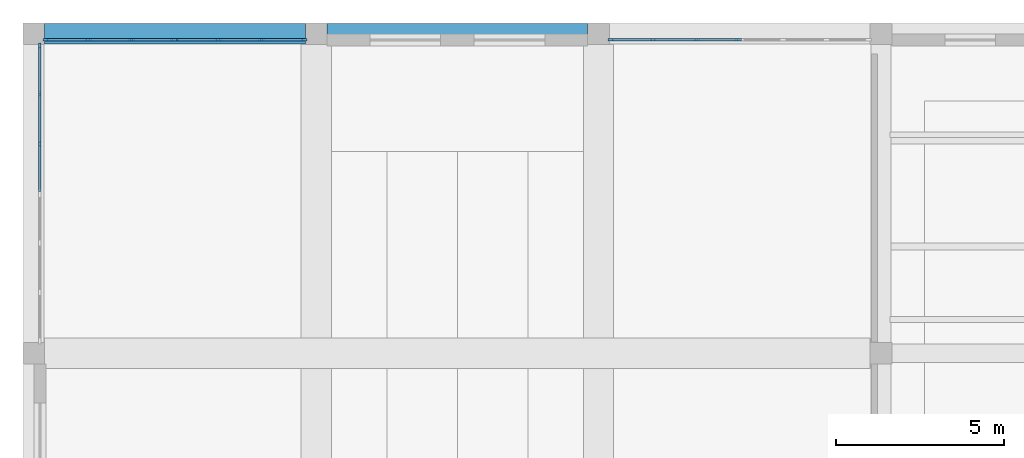
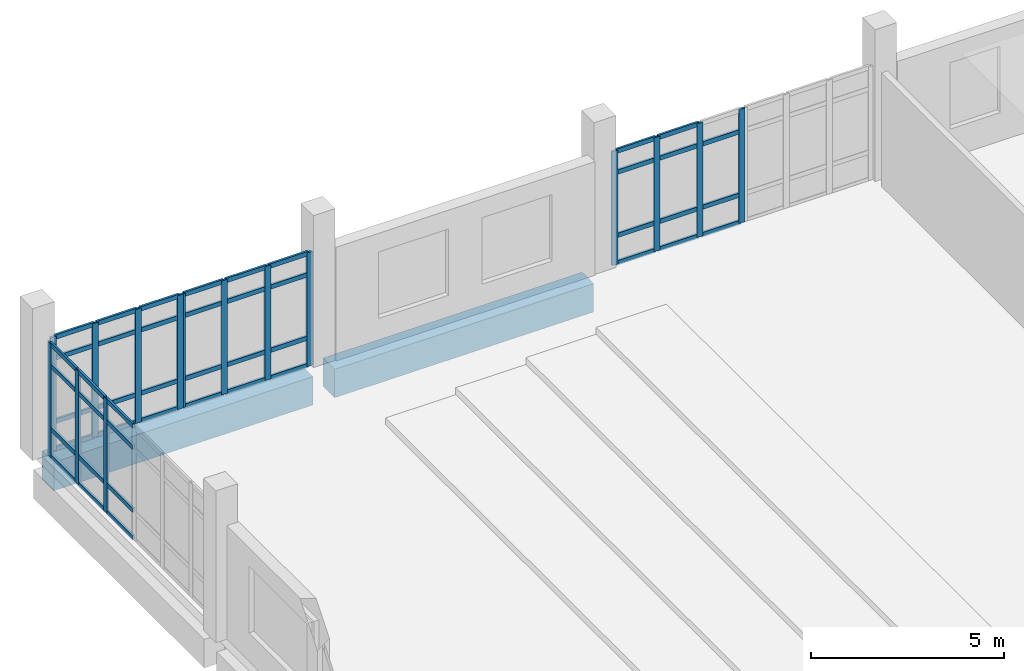
# One storey, part 30 of 90: 62 members, 2 beams, 4 elements without a shape of their own.
"""IFC4 building model written with IfcOpenShell, lengths in metres."""

from ifc_helpers import new_model, si_unit, direction, frame, origin, origin_2d, place, context, subcontext, project, spatial, rectangle, extrude, material, layer, layer_set, material_profile, profile_set, type_object, element, aggregate, save


model = new_model("IFC4")

# Units and contexts
model_context = context("Model", 3, precision=1e-05, world=origin(), true_north=direction((0.0, 1.0)))
body_context = subcontext(model_context, "Body", "Model", "MODEL_VIEW")
ifc_project = project(units=[si_unit("LENGTHUNIT", "METRE"), si_unit("AREAUNIT", "SQUARE_METRE"), si_unit("VOLUMEUNIT", "CUBIC_METRE"), si_unit("PLANEANGLEUNIT", "RADIAN"), si_unit("MASSUNIT", "GRAM", prefix="KILO")], contexts=[model_context])

# Site, building, storey
site_placement = place(None, origin())
site = spatial("IfcSite", under=ifc_project, at=site_placement, CompositionType="ELEMENT")
building_placement = place(site_placement, origin())
building = spatial("IfcBuilding", under=site, at=building_placement, Name="Kelarvand Opera House", CompositionType="ELEMENT")
storey_placement = place(building_placement, frame((0.0, 0.0, 5.39990234375)))
storey = spatial("IfcBuildingStorey", under=building, at=storey_placement, Name="L01", CompositionType="ELEMENT", Elevation=5.39990234375)

# Curtain wall, members
ifc_material_1 = material(Name="Thermally broken aluminium and low-E glazing", Category="aluminium")
ifc_layer_1 = layer(ifc_material_1, 0.179931640625, Name="Thermally broken aluminium and low-E glazing", Category="aluminium")
ifc_layer_set_1 = layer_set([ifc_layer_1], Name="Thermally broken aluminium and low-E glazing")
curtain_wall_type_1 = type_object("IfcCurtainWallType", Name="Unitised Low-E Curtain Wall 3861x3600 Mod 1350 CWF-17", PredefinedType="USERDEFINED", material=ifc_layer_set_1)
curtain_wall_1_placement = place(storey_placement, origin())
curtain_wall_1 = element("IfcCurtainWall", 1, at=curtain_wall_1_placement, inside=storey, type_object=curtain_wall_type_1, Name="V3 L01 Curtain Wall CWF-17 (51)", ObjectType="UNITISED CURTAIN WALL", PredefinedType="USERDEFINED")
ifc_material_2 = material(Name="Thermally broken anodised aluminium", Category="aluminium")
ifc_material_profile_1 = material_profile(ifc_material_2, rectangle(XDim=0.06494140625, YDim=0.179931640625, at=origin_2d()), Name="ALU MULLION 65x180", Category="aluminium")
ifc_profile_set_1 = profile_set([ifc_material_profile_1], Name="Thermally broken anodised aluminium")
member_type_1 = type_object("IfcMemberType", Name="Curtain Wall Mullion 65x180 Aluminium", PredefinedType="MULLION", material=ifc_profile_set_1)
member_1_placement = place(storey_placement, frame((9.367431640625, 124.820068359375, 0.0), z_axis=(0.0, 0.0, 1.0), x_axis=(0.0, 1.0, 0.0)))
member_1 = element("IfcMember", 2, at=member_1_placement, type_object=member_type_1, Name="CWF-17 mullion 1", PredefinedType="MULLION", context=body_context, shape_type="SweptSolid", body=[
    extrude(rectangle(XDim=0.06494140625, YDim=0.179931640625, at=origin_2d()), origin(), (0.0, 0.0, 1.0), 3.60009765625),
])
member_2_placement = place(storey_placement, frame((10.6220703125, 124.820068359375, 0.0), z_axis=(0.0, 0.0, 1.0), x_axis=(0.0, 1.0, 0.0)))
member_2 = element("IfcMember", 3, at=member_2_placement, type_object=member_type_1, Name="CWF-17 mullion 2", PredefinedType="MULLION", context=body_context, shape_type="SweptSolid", body=[
    extrude(rectangle(XDim=0.06494140625, YDim=0.179931640625, at=origin_2d()), origin(), (0.0, 0.0, 1.0), 3.60009765625),
])
member_3_placement = place(storey_placement, frame((11.908935546875, 124.820068359375, 0.0), z_axis=(0.0, 0.0, 1.0), x_axis=(0.0, 1.0, 0.0)))
member_3 = element("IfcMember", 4, at=member_3_placement, type_object=member_type_1, Name="CWF-17 mullion 3", PredefinedType="MULLION", context=body_context, shape_type="SweptSolid", body=[
    extrude(rectangle(XDim=0.06494140625, YDim=0.179931640625, at=origin_2d()), origin(), (0.0, 0.0, 1.0), 3.60009765625),
])
member_4_placement = place(storey_placement, frame((13.16357421875, 124.820068359375, 0.0), z_axis=(0.0, 0.0, 1.0), x_axis=(0.0, 1.0, 0.0)))
member_4 = element("IfcMember", 5, at=member_4_placement, type_object=member_type_1, Name="CWF-17 mullion 4", PredefinedType="MULLION", context=body_context, shape_type="SweptSolid", body=[
    extrude(rectangle(XDim=0.06494140625, YDim=0.179931640625, at=origin_2d()), origin(), (0.0, 0.0, 1.0), 3.60009765625),
])

curtain_wall_2_placement = place(storey_placement, origin())
curtain_wall_2 = element("IfcCurtainWall", 6, at=curtain_wall_2_placement, inside=storey, type_object=curtain_wall_type_1, Name="V3 L01 Curtain Wall CWF-17 (52)", ObjectType="UNITISED CURTAIN WALL", PredefinedType="USERDEFINED")
member_5_placement = place(storey_placement, frame((13.232421875, 124.820068359375, 0.0), z_axis=(0.0, 0.0, 1.0), x_axis=(0.0, 1.0, 0.0)))
member_5 = element("IfcMember", 7, at=member_5_placement, type_object=member_type_1, Name="CWF-17 mullion 1", PredefinedType="MULLION", context=body_context, shape_type="SweptSolid", body=[
    extrude(rectangle(XDim=0.06494140625, YDim=0.179931640625, at=origin_2d()), origin(), (0.0, 0.0, 1.0), 3.60009765625),
])
member_6_placement = place(storey_placement, frame((14.48828125, 124.820068359375, 0.0), z_axis=(0.0, 0.0, 1.0), x_axis=(0.0, 1.0, 0.0)))
member_6 = element("IfcMember", 8, at=member_6_placement, type_object=member_type_1, Name="CWF-17 mullion 2", PredefinedType="MULLION", context=body_context, shape_type="SweptSolid", body=[
    extrude(rectangle(XDim=0.06494140625, YDim=0.179931640625, at=origin_2d()), origin(), (0.0, 0.0, 1.0), 3.60009765625),
])
member_7_placement = place(storey_placement, frame((15.776611328125, 124.820068359375, 0.0), z_axis=(0.0, 0.0, 1.0), x_axis=(0.0, 1.0, 0.0)))
member_7 = element("IfcMember", 9, at=member_7_placement, type_object=member_type_1, Name="CWF-17 mullion 3", PredefinedType="MULLION", context=body_context, shape_type="SweptSolid", body=[
    extrude(rectangle(XDim=0.06494140625, YDim=0.179931640625, at=origin_2d()), origin(), (0.0, 0.0, 1.0), 3.60009765625),
])
member_8_placement = place(storey_placement, frame((17.032470703125, 124.820068359375, 0.0), z_axis=(0.0, 0.0, 1.0), x_axis=(0.0, 1.0, 0.0)))
member_8 = element("IfcMember", 10, at=member_8_placement, type_object=member_type_1, Name="CWF-17 mullion 4", PredefinedType="MULLION", context=body_context, shape_type="SweptSolid", body=[
    extrude(rectangle(XDim=0.06494140625, YDim=0.179931640625, at=origin_2d()), origin(), (0.0, 0.0, 1.0), 3.60009765625),
])

curtain_wall_3_placement = place(storey_placement, origin())
curtain_wall_3 = element("IfcCurtainWall", 11, at=curtain_wall_3_placement, inside=storey, type_object=curtain_wall_type_1, Name="V3 L01 Curtain Wall CWF-17 (53)", ObjectType="UNITISED CURTAIN WALL", PredefinedType="USERDEFINED")
member_9_placement = place(storey_placement, frame((26.16748046875, 124.820068359375, 0.0), z_axis=(0.0, 0.0, 1.0), x_axis=(0.0, 1.0, 0.0)))
member_9 = element("IfcMember", 12, at=member_9_placement, type_object=member_type_1, Name="CWF-17 mullion 1", PredefinedType="MULLION", context=body_context, shape_type="SweptSolid", body=[
    extrude(rectangle(XDim=0.06494140625, YDim=0.179931640625, at=origin_2d()), origin(), (0.0, 0.0, 1.0), 3.60009765625),
])
member_10_placement = place(storey_placement, frame((27.422119140625, 124.820068359375, 0.0), z_axis=(0.0, 0.0, 1.0), x_axis=(0.0, 1.0, 0.0)))
member_10 = element("IfcMember", 13, at=member_10_placement, type_object=member_type_1, Name="CWF-17 mullion 2", PredefinedType="MULLION", context=body_context, shape_type="SweptSolid", body=[
    extrude(rectangle(XDim=0.06494140625, YDim=0.179931640625, at=origin_2d()), origin(), (0.0, 0.0, 1.0), 3.60009765625),
])
member_11_placement = place(storey_placement, frame((28.708984375, 124.820068359375, 0.0), z_axis=(0.0, 0.0, 1.0), x_axis=(0.0, 1.0, 0.0)))
member_11 = element("IfcMember", 14, at=member_11_placement, type_object=member_type_1, Name="CWF-17 mullion 3", PredefinedType="MULLION", context=body_context, shape_type="SweptSolid", body=[
    extrude(rectangle(XDim=0.06494140625, YDim=0.179931640625, at=origin_2d()), origin(), (0.0, 0.0, 1.0), 3.60009765625),
])
member_12_placement = place(storey_placement, frame((29.96337890625, 124.820068359375, 0.0), z_axis=(0.0, 0.0, 1.0), x_axis=(0.0, 1.0, 0.0)))
member_12 = element("IfcMember", 15, at=member_12_placement, type_object=member_type_1, Name="CWF-17 mullion 4", PredefinedType="MULLION", context=body_context, shape_type="SweptSolid", body=[
    extrude(rectangle(XDim=0.06494140625, YDim=0.179931640625, at=origin_2d()), origin(), (0.0, 0.0, 1.0), 3.60009765625),
])

ifc_layer_2 = layer(ifc_material_1, 0.179931640625, Name="Thermally broken aluminium and low-E glazing", Category="aluminium")
ifc_layer_set_2 = layer_set([ifc_layer_2], Name="Thermally broken aluminium and low-E glazing")
curtain_wall_type_2 = type_object("IfcCurtainWallType", Name="Unitised Low-E Curtain Wall 4411x3600 Mod 1350 CWF-19", PredefinedType="USERDEFINED", material=ifc_layer_set_2)
curtain_wall_4_placement = place(storey_placement, origin())
curtain_wall_4 = element("IfcCurtainWall", 16, at=curtain_wall_4_placement, inside=storey, type_object=curtain_wall_type_2, Name="V3 L01 Curtain Wall CWF-19 (60)", ObjectType="UNITISED CURTAIN WALL", PredefinedType="USERDEFINED")
member_13_placement = place(storey_placement, frame((9.179931640625, 121.7216796875, 0.0), z_axis=(0.0, 0.0, 1.0), x_axis=(-1.0, 0.0, 0.0)))
member_13 = element("IfcMember", 17, at=member_13_placement, type_object=member_type_1, Name="CWF-19 mullion 2", PredefinedType="MULLION", context=body_context, shape_type="SweptSolid", body=[
    extrude(rectangle(XDim=0.06494140625, YDim=0.179931640625, at=origin_2d()), origin(), (0.0, 0.0, 1.0), 3.60009765625),
])
member_14_placement = place(storey_placement, frame((9.179931640625, 123.193359375, 0.0), z_axis=(0.0, 0.0, 1.0), x_axis=(-1.0, 0.0, 0.0)))
member_14 = element("IfcMember", 18, at=member_14_placement, type_object=member_type_1, Name="CWF-19 mullion 3", PredefinedType="MULLION", context=body_context, shape_type="SweptSolid", body=[
    extrude(rectangle(XDim=0.06494140625, YDim=0.179931640625, at=origin_2d()), origin(), (0.0, 0.0, 1.0), 3.60009765625),
])
member_15_placement = place(storey_placement, frame((9.179931640625, 124.632568359375, 0.0), z_axis=(0.0, 0.0, 1.0), x_axis=(-1.0, 0.0, 0.0)))
member_15 = element("IfcMember", 19, at=member_15_placement, type_object=member_type_1, Name="CWF-19 mullion 4", PredefinedType="MULLION", context=body_context, shape_type="SweptSolid", body=[
    extrude(rectangle(XDim=0.06494140625, YDim=0.179931640625, at=origin_2d()), origin(), (0.0, 0.0, 1.0), 3.60009765625),
])

# Member
ifc_material_profile_2 = material_profile(ifc_material_2, rectangle(XDim=0.06494140625, YDim=0.139892578125, at=origin_2d()), Name="ALU TRANSOM 65x140", Category="aluminium")
ifc_profile_set_2 = profile_set([ifc_material_profile_2], Name="Thermally broken anodised aluminium")
member_type_2 = type_object("IfcMemberType", Name="Curtain Wall Transom 65x140 Aluminium", PredefinedType="USERDEFINED", material=ifc_profile_set_2)
member_16_placement = place(storey_placement, frame((9.39990234375, 124.820068359375, 0.03271484375), z_axis=(1.0, 0.0, 0.0), x_axis=(0.0, 1.0, 0.0)))
member_16 = element("IfcMember", 20, at=member_16_placement, type_object=member_type_2, Name="CWF-17 transom 1.1", ObjectType="TRANSOM", PredefinedType="USERDEFINED", context=body_context, shape_type="SweptSolid", body=[
    extrude(rectangle(XDim=0.06494140625, YDim=0.139892578125, at=origin_2d()), origin(), (0.0, 0.0, 1.0), 1.189697265625),
])

member_17_placement = place(storey_placement, frame((9.39990234375, 124.820068359375, 0.900146484375), z_axis=(1.0, 0.0, 0.0), x_axis=(0.0, 1.0, 0.0)))
member_17 = element("IfcMember", 21, at=member_17_placement, type_object=member_type_2, Name="CWF-17 transom 1.2", ObjectType="TRANSOM", PredefinedType="USERDEFINED", context=body_context, shape_type="SweptSolid", body=[
    extrude(rectangle(XDim=0.06494140625, YDim=0.139892578125, at=origin_2d()), origin(), (0.0, 0.0, 1.0), 1.189697265625),
])

member_18_placement = place(storey_placement, frame((9.39990234375, 124.820068359375, 2.900146484375), z_axis=(1.0, 0.0, 0.0), x_axis=(0.0, 1.0, 0.0)))
member_18 = element("IfcMember", 22, at=member_18_placement, type_object=member_type_2, Name="CWF-17 transom 1.3", ObjectType="TRANSOM", PredefinedType="USERDEFINED", context=body_context, shape_type="SweptSolid", body=[
    extrude(rectangle(XDim=0.06494140625, YDim=0.139892578125, at=origin_2d()), origin(), (0.0, 0.0, 1.0), 1.189697265625),
])

member_19_placement = place(storey_placement, frame((9.39990234375, 124.820068359375, 3.567626953125), z_axis=(1.0, 0.0, 0.0), x_axis=(0.0, 1.0, 0.0)))
member_19 = element("IfcMember", 23, at=member_19_placement, type_object=member_type_2, Name="CWF-17 transom 1.4", ObjectType="TRANSOM", PredefinedType="USERDEFINED", context=body_context, shape_type="SweptSolid", body=[
    extrude(rectangle(XDim=0.06494140625, YDim=0.139892578125, at=origin_2d()), origin(), (0.0, 0.0, 1.0), 1.189697265625),
])

member_20_placement = place(storey_placement, frame((10.654541015625, 124.820068359375, 0.03271484375), z_axis=(1.0, 0.0, 0.0), x_axis=(0.0, 1.0, 0.0)))
member_20 = element("IfcMember", 24, at=member_20_placement, type_object=member_type_2, Name="CWF-17 transom 2.1", ObjectType="TRANSOM", PredefinedType="USERDEFINED", context=body_context, shape_type="SweptSolid", body=[
    extrude(rectangle(XDim=0.06494140625, YDim=0.139892578125, at=origin_2d()), origin(), (0.0, 0.0, 1.0), 1.221923828125),
])

member_21_placement = place(storey_placement, frame((10.654541015625, 124.820068359375, 0.900146484375), z_axis=(1.0, 0.0, 0.0), x_axis=(0.0, 1.0, 0.0)))
member_21 = element("IfcMember", 25, at=member_21_placement, type_object=member_type_2, Name="CWF-17 transom 2.2", ObjectType="TRANSOM", PredefinedType="USERDEFINED", context=body_context, shape_type="SweptSolid", body=[
    extrude(rectangle(XDim=0.06494140625, YDim=0.139892578125, at=origin_2d()), origin(), (0.0, 0.0, 1.0), 1.221923828125),
])

member_22_placement = place(storey_placement, frame((10.654541015625, 124.820068359375, 2.900146484375), z_axis=(1.0, 0.0, 0.0), x_axis=(0.0, 1.0, 0.0)))
member_22 = element("IfcMember", 26, at=member_22_placement, type_object=member_type_2, Name="CWF-17 transom 2.3", ObjectType="TRANSOM", PredefinedType="USERDEFINED", context=body_context, shape_type="SweptSolid", body=[
    extrude(rectangle(XDim=0.06494140625, YDim=0.139892578125, at=origin_2d()), origin(), (0.0, 0.0, 1.0), 1.221923828125),
])

member_23_placement = place(storey_placement, frame((10.654541015625, 124.820068359375, 3.567626953125), z_axis=(1.0, 0.0, 0.0), x_axis=(0.0, 1.0, 0.0)))
member_23 = element("IfcMember", 27, at=member_23_placement, type_object=member_type_2, Name="CWF-17 transom 2.4", ObjectType="TRANSOM", PredefinedType="USERDEFINED", context=body_context, shape_type="SweptSolid", body=[
    extrude(rectangle(XDim=0.06494140625, YDim=0.139892578125, at=origin_2d()), origin(), (0.0, 0.0, 1.0), 1.221923828125),
])

member_24_placement = place(storey_placement, frame((11.94140625, 124.820068359375, 0.03271484375), z_axis=(1.0, 0.0, 0.0), x_axis=(0.0, 1.0, 0.0)))
member_24 = element("IfcMember", 28, at=member_24_placement, type_object=member_type_2, Name="CWF-17 transom 3.1", ObjectType="TRANSOM", PredefinedType="USERDEFINED", context=body_context, shape_type="SweptSolid", body=[
    extrude(rectangle(XDim=0.06494140625, YDim=0.139892578125, at=origin_2d()), origin(), (0.0, 0.0, 1.0), 1.189697265625),
])

member_25_placement = place(storey_placement, frame((11.94140625, 124.820068359375, 0.900146484375), z_axis=(1.0, 0.0, 0.0), x_axis=(0.0, 1.0, 0.0)))
member_25 = element("IfcMember", 29, at=member_25_placement, type_object=member_type_2, Name="CWF-17 transom 3.2", ObjectType="TRANSOM", PredefinedType="USERDEFINED", context=body_context, shape_type="SweptSolid", body=[
    extrude(rectangle(XDim=0.06494140625, YDim=0.139892578125, at=origin_2d()), origin(), (0.0, 0.0, 1.0), 1.189697265625),
])

member_26_placement = place(storey_placement, frame((11.94140625, 124.820068359375, 2.900146484375), z_axis=(1.0, 0.0, 0.0), x_axis=(0.0, 1.0, 0.0)))
member_26 = element("IfcMember", 30, at=member_26_placement, type_object=member_type_2, Name="CWF-17 transom 3.3", ObjectType="TRANSOM", PredefinedType="USERDEFINED", context=body_context, shape_type="SweptSolid", body=[
    extrude(rectangle(XDim=0.06494140625, YDim=0.139892578125, at=origin_2d()), origin(), (0.0, 0.0, 1.0), 1.189697265625),
])

member_27_placement = place(storey_placement, frame((11.94140625, 124.820068359375, 3.567626953125), z_axis=(1.0, 0.0, 0.0), x_axis=(0.0, 1.0, 0.0)))
member_27 = element("IfcMember", 31, at=member_27_placement, type_object=member_type_2, Name="CWF-17 transom 3.4", ObjectType="TRANSOM", PredefinedType="USERDEFINED", context=body_context, shape_type="SweptSolid", body=[
    extrude(rectangle(XDim=0.06494140625, YDim=0.139892578125, at=origin_2d()), origin(), (0.0, 0.0, 1.0), 1.189697265625),
])

aggregate(curtain_wall_1, [member_1, member_2, member_3, member_4, member_16, member_17, member_18, member_19, member_20, member_21, member_22, member_23, member_24, member_25, member_26, member_27])

member_28_placement = place(storey_placement, frame((13.264892578125, 124.820068359375, 0.03271484375), z_axis=(1.0, 0.0, 0.0), x_axis=(0.0, 1.0, 0.0)))
member_28 = element("IfcMember", 32, at=member_28_placement, type_object=member_type_2, Name="CWF-17 transom 1.1", ObjectType="TRANSOM", PredefinedType="USERDEFINED", context=body_context, shape_type="SweptSolid", body=[
    extrude(rectangle(XDim=0.06494140625, YDim=0.139892578125, at=origin_2d()), origin(), (0.0, 0.0, 1.0), 1.19091796875),
])

member_29_placement = place(storey_placement, frame((13.264892578125, 124.820068359375, 0.900146484375), z_axis=(1.0, 0.0, 0.0), x_axis=(0.0, 1.0, 0.0)))
member_29 = element("IfcMember", 33, at=member_29_placement, type_object=member_type_2, Name="CWF-17 transom 1.2", ObjectType="TRANSOM", PredefinedType="USERDEFINED", context=body_context, shape_type="SweptSolid", body=[
    extrude(rectangle(XDim=0.06494140625, YDim=0.139892578125, at=origin_2d()), origin(), (0.0, 0.0, 1.0), 1.19091796875),
])

member_30_placement = place(storey_placement, frame((13.264892578125, 124.820068359375, 2.900146484375), z_axis=(1.0, 0.0, 0.0), x_axis=(0.0, 1.0, 0.0)))
member_30 = element("IfcMember", 34, at=member_30_placement, type_object=member_type_2, Name="CWF-17 transom 1.3", ObjectType="TRANSOM", PredefinedType="USERDEFINED", context=body_context, shape_type="SweptSolid", body=[
    extrude(rectangle(XDim=0.06494140625, YDim=0.139892578125, at=origin_2d()), origin(), (0.0, 0.0, 1.0), 1.19091796875),
])

member_31_placement = place(storey_placement, frame((13.264892578125, 124.820068359375, 3.567626953125), z_axis=(1.0, 0.0, 0.0), x_axis=(0.0, 1.0, 0.0)))
member_31 = element("IfcMember", 35, at=member_31_placement, type_object=member_type_2, Name="CWF-17 transom 1.4", ObjectType="TRANSOM", PredefinedType="USERDEFINED", context=body_context, shape_type="SweptSolid", body=[
    extrude(rectangle(XDim=0.06494140625, YDim=0.139892578125, at=origin_2d()), origin(), (0.0, 0.0, 1.0), 1.19091796875),
])

member_32_placement = place(storey_placement, frame((14.520751953125, 124.820068359375, 0.03271484375), z_axis=(1.0, 0.0, 0.0), x_axis=(0.0, 1.0, 0.0)))
member_32 = element("IfcMember", 36, at=member_32_placement, type_object=member_type_2, Name="CWF-17 transom 2.1", ObjectType="TRANSOM", PredefinedType="USERDEFINED", context=body_context, shape_type="SweptSolid", body=[
    extrude(rectangle(XDim=0.06494140625, YDim=0.139892578125, at=origin_2d()), origin(), (0.0, 0.0, 1.0), 1.223388671875),
])

member_33_placement = place(storey_placement, frame((14.520751953125, 124.820068359375, 0.900146484375), z_axis=(1.0, 0.0, 0.0), x_axis=(0.0, 1.0, 0.0)))
member_33 = element("IfcMember", 37, at=member_33_placement, type_object=member_type_2, Name="CWF-17 transom 2.2", ObjectType="TRANSOM", PredefinedType="USERDEFINED", context=body_context, shape_type="SweptSolid", body=[
    extrude(rectangle(XDim=0.06494140625, YDim=0.139892578125, at=origin_2d()), origin(), (0.0, 0.0, 1.0), 1.223388671875),
])

member_34_placement = place(storey_placement, frame((14.520751953125, 124.820068359375, 2.900146484375), z_axis=(1.0, 0.0, 0.0), x_axis=(0.0, 1.0, 0.0)))
member_34 = element("IfcMember", 38, at=member_34_placement, type_object=member_type_2, Name="CWF-17 transom 2.3", ObjectType="TRANSOM", PredefinedType="USERDEFINED", context=body_context, shape_type="SweptSolid", body=[
    extrude(rectangle(XDim=0.06494140625, YDim=0.139892578125, at=origin_2d()), origin(), (0.0, 0.0, 1.0), 1.223388671875),
])

member_35_placement = place(storey_placement, frame((14.520751953125, 124.820068359375, 3.567626953125), z_axis=(1.0, 0.0, 0.0), x_axis=(0.0, 1.0, 0.0)))
member_35 = element("IfcMember", 39, at=member_35_placement, type_object=member_type_2, Name="CWF-17 transom 2.4", ObjectType="TRANSOM", PredefinedType="USERDEFINED", context=body_context, shape_type="SweptSolid", body=[
    extrude(rectangle(XDim=0.06494140625, YDim=0.139892578125, at=origin_2d()), origin(), (0.0, 0.0, 1.0), 1.223388671875),
])

member_36_placement = place(storey_placement, frame((15.80908203125, 124.820068359375, 0.03271484375), z_axis=(1.0, 0.0, 0.0), x_axis=(0.0, 1.0, 0.0)))
member_36 = element("IfcMember", 40, at=member_36_placement, type_object=member_type_2, Name="CWF-17 transom 3.1", ObjectType="TRANSOM", PredefinedType="USERDEFINED", context=body_context, shape_type="SweptSolid", body=[
    extrude(rectangle(XDim=0.06494140625, YDim=0.139892578125, at=origin_2d()), origin(), (0.0, 0.0, 1.0), 1.19091796875),
])

member_37_placement = place(storey_placement, frame((15.80908203125, 124.820068359375, 0.900146484375), z_axis=(1.0, 0.0, 0.0), x_axis=(0.0, 1.0, 0.0)))
member_37 = element("IfcMember", 41, at=member_37_placement, type_object=member_type_2, Name="CWF-17 transom 3.2", ObjectType="TRANSOM", PredefinedType="USERDEFINED", context=body_context, shape_type="SweptSolid", body=[
    extrude(rectangle(XDim=0.06494140625, YDim=0.139892578125, at=origin_2d()), origin(), (0.0, 0.0, 1.0), 1.19091796875),
])

member_38_placement = place(storey_placement, frame((15.80908203125, 124.820068359375, 2.900146484375), z_axis=(1.0, 0.0, 0.0), x_axis=(0.0, 1.0, 0.0)))
member_38 = element("IfcMember", 42, at=member_38_placement, type_object=member_type_2, Name="CWF-17 transom 3.3", ObjectType="TRANSOM", PredefinedType="USERDEFINED", context=body_context, shape_type="SweptSolid", body=[
    extrude(rectangle(XDim=0.06494140625, YDim=0.139892578125, at=origin_2d()), origin(), (0.0, 0.0, 1.0), 1.19091796875),
])

member_39_placement = place(storey_placement, frame((15.80908203125, 124.820068359375, 3.567626953125), z_axis=(1.0, 0.0, 0.0), x_axis=(0.0, 1.0, 0.0)))
member_39 = element("IfcMember", 43, at=member_39_placement, type_object=member_type_2, Name="CWF-17 transom 3.4", ObjectType="TRANSOM", PredefinedType="USERDEFINED", context=body_context, shape_type="SweptSolid", body=[
    extrude(rectangle(XDim=0.06494140625, YDim=0.139892578125, at=origin_2d()), origin(), (0.0, 0.0, 1.0), 1.19091796875),
])

aggregate(curtain_wall_2, [member_5, member_6, member_7, member_8, member_28, member_29, member_30, member_31, member_32, member_33, member_34, member_35, member_36, member_37, member_38, member_39])

member_40_placement = place(storey_placement, frame((26.199951171875, 124.820068359375, 0.03271484375), z_axis=(1.0, 0.0, 0.0), x_axis=(0.0, 1.0, 0.0)))
member_40 = element("IfcMember", 44, at=member_40_placement, type_object=member_type_2, Name="CWF-17 transom 1.1", ObjectType="TRANSOM", PredefinedType="USERDEFINED", context=body_context, shape_type="SweptSolid", body=[
    extrude(rectangle(XDim=0.06494140625, YDim=0.139892578125, at=origin_2d()), origin(), (0.0, 0.0, 1.0), 1.189453125),
])

member_41_placement = place(storey_placement, frame((26.199951171875, 124.820068359375, 0.900146484375), z_axis=(1.0, 0.0, 0.0), x_axis=(0.0, 1.0, 0.0)))
member_41 = element("IfcMember", 45, at=member_41_placement, type_object=member_type_2, Name="CWF-17 transom 1.2", ObjectType="TRANSOM", PredefinedType="USERDEFINED", context=body_context, shape_type="SweptSolid", body=[
    extrude(rectangle(XDim=0.06494140625, YDim=0.139892578125, at=origin_2d()), origin(), (0.0, 0.0, 1.0), 1.189453125),
])

member_42_placement = place(storey_placement, frame((26.199951171875, 124.820068359375, 2.900146484375), z_axis=(1.0, 0.0, 0.0), x_axis=(0.0, 1.0, 0.0)))
member_42 = element("IfcMember", 46, at=member_42_placement, type_object=member_type_2, Name="CWF-17 transom 1.3", ObjectType="TRANSOM", PredefinedType="USERDEFINED", context=body_context, shape_type="SweptSolid", body=[
    extrude(rectangle(XDim=0.06494140625, YDim=0.139892578125, at=origin_2d()), origin(), (0.0, 0.0, 1.0), 1.189453125),
])

member_43_placement = place(storey_placement, frame((26.199951171875, 124.820068359375, 3.567626953125), z_axis=(1.0, 0.0, 0.0), x_axis=(0.0, 1.0, 0.0)))
member_43 = element("IfcMember", 47, at=member_43_placement, type_object=member_type_2, Name="CWF-17 transom 1.4", ObjectType="TRANSOM", PredefinedType="USERDEFINED", context=body_context, shape_type="SweptSolid", body=[
    extrude(rectangle(XDim=0.06494140625, YDim=0.139892578125, at=origin_2d()), origin(), (0.0, 0.0, 1.0), 1.189453125),
])

member_44_placement = place(storey_placement, frame((27.45458984375, 124.820068359375, 0.03271484375), z_axis=(1.0, 0.0, 0.0), x_axis=(0.0, 1.0, 0.0)))
member_44 = element("IfcMember", 48, at=member_44_placement, type_object=member_type_2, Name="CWF-17 transom 2.1", ObjectType="TRANSOM", PredefinedType="USERDEFINED", context=body_context, shape_type="SweptSolid", body=[
    extrude(rectangle(XDim=0.06494140625, YDim=0.139892578125, at=origin_2d()), origin(), (0.0, 0.0, 1.0), 1.221923828125),
])

member_45_placement = place(storey_placement, frame((27.45458984375, 124.820068359375, 0.900146484375), z_axis=(1.0, 0.0, 0.0), x_axis=(0.0, 1.0, 0.0)))
member_45 = element("IfcMember", 49, at=member_45_placement, type_object=member_type_2, Name="CWF-17 transom 2.2", ObjectType="TRANSOM", PredefinedType="USERDEFINED", context=body_context, shape_type="SweptSolid", body=[
    extrude(rectangle(XDim=0.06494140625, YDim=0.139892578125, at=origin_2d()), origin(), (0.0, 0.0, 1.0), 1.221923828125),
])

member_46_placement = place(storey_placement, frame((27.45458984375, 124.820068359375, 2.900146484375), z_axis=(1.0, 0.0, 0.0), x_axis=(0.0, 1.0, 0.0)))
member_46 = element("IfcMember", 50, at=member_46_placement, type_object=member_type_2, Name="CWF-17 transom 2.3", ObjectType="TRANSOM", PredefinedType="USERDEFINED", context=body_context, shape_type="SweptSolid", body=[
    extrude(rectangle(XDim=0.06494140625, YDim=0.139892578125, at=origin_2d()), origin(), (0.0, 0.0, 1.0), 1.221923828125),
])

member_47_placement = place(storey_placement, frame((27.45458984375, 124.820068359375, 3.567626953125), z_axis=(1.0, 0.0, 0.0), x_axis=(0.0, 1.0, 0.0)))
member_47 = element("IfcMember", 51, at=member_47_placement, type_object=member_type_2, Name="CWF-17 transom 2.4", ObjectType="TRANSOM", PredefinedType="USERDEFINED", context=body_context, shape_type="SweptSolid", body=[
    extrude(rectangle(XDim=0.06494140625, YDim=0.139892578125, at=origin_2d()), origin(), (0.0, 0.0, 1.0), 1.221923828125),
])

member_48_placement = place(storey_placement, frame((28.741455078125, 124.820068359375, 0.03271484375), z_axis=(1.0, 0.0, 0.0), x_axis=(0.0, 1.0, 0.0)))
member_48 = element("IfcMember", 52, at=member_48_placement, type_object=member_type_2, Name="CWF-17 transom 3.1", ObjectType="TRANSOM", PredefinedType="USERDEFINED", context=body_context, shape_type="SweptSolid", body=[
    extrude(rectangle(XDim=0.06494140625, YDim=0.139892578125, at=origin_2d()), origin(), (0.0, 0.0, 1.0), 1.189453125),
])

member_49_placement = place(storey_placement, frame((28.741455078125, 124.820068359375, 0.900146484375), z_axis=(1.0, 0.0, 0.0), x_axis=(0.0, 1.0, 0.0)))
member_49 = element("IfcMember", 53, at=member_49_placement, type_object=member_type_2, Name="CWF-17 transom 3.2", ObjectType="TRANSOM", PredefinedType="USERDEFINED", context=body_context, shape_type="SweptSolid", body=[
    extrude(rectangle(XDim=0.06494140625, YDim=0.139892578125, at=origin_2d()), origin(), (0.0, 0.0, 1.0), 1.189453125),
])

member_50_placement = place(storey_placement, frame((28.741455078125, 124.820068359375, 2.900146484375), z_axis=(1.0, 0.0, 0.0), x_axis=(0.0, 1.0, 0.0)))
member_50 = element("IfcMember", 54, at=member_50_placement, type_object=member_type_2, Name="CWF-17 transom 3.3", ObjectType="TRANSOM", PredefinedType="USERDEFINED", context=body_context, shape_type="SweptSolid", body=[
    extrude(rectangle(XDim=0.06494140625, YDim=0.139892578125, at=origin_2d()), origin(), (0.0, 0.0, 1.0), 1.189453125),
])

aggregate(curtain_wall_3, [member_9, member_10, member_11, member_12, member_40, member_41, member_42, member_43, member_44, member_45, member_46, member_47, member_48, member_49, member_50])

member_51_placement = place(storey_placement, frame((9.179931640625, 120.31494140625, 0.03271484375), z_axis=(0.0, 1.0, 0.0), x_axis=(-1.0, 0.0, 0.0)))
member_51 = element("IfcMember", 55, at=member_51_placement, type_object=member_type_2, Name="CWF-19 transom 1.1", ObjectType="TRANSOM", PredefinedType="USERDEFINED", context=body_context, shape_type="SweptSolid", body=[
    extrude(rectangle(XDim=0.06494140625, YDim=0.139892578125, at=origin_2d()), origin(), (0.0, 0.0, 1.0), 1.374267578125),
])

member_52_placement = place(storey_placement, frame((9.179931640625, 120.31494140625, 0.900146484375), z_axis=(0.0, 1.0, 0.0), x_axis=(-1.0, 0.0, 0.0)))
member_52 = element("IfcMember", 56, at=member_52_placement, type_object=member_type_2, Name="CWF-19 transom 1.2", ObjectType="TRANSOM", PredefinedType="USERDEFINED", context=body_context, shape_type="SweptSolid", body=[
    extrude(rectangle(XDim=0.06494140625, YDim=0.139892578125, at=origin_2d()), origin(), (0.0, 0.0, 1.0), 1.374267578125),
])

member_53_placement = place(storey_placement, frame((9.179931640625, 120.31494140625, 2.900146484375), z_axis=(0.0, 1.0, 0.0), x_axis=(-1.0, 0.0, 0.0)))
member_53 = element("IfcMember", 57, at=member_53_placement, type_object=member_type_2, Name="CWF-19 transom 1.3", ObjectType="TRANSOM", PredefinedType="USERDEFINED", context=body_context, shape_type="SweptSolid", body=[
    extrude(rectangle(XDim=0.06494140625, YDim=0.139892578125, at=origin_2d()), origin(), (0.0, 0.0, 1.0), 1.374267578125),
])

member_54_placement = place(storey_placement, frame((9.179931640625, 120.31494140625, 3.567626953125), z_axis=(0.0, 1.0, 0.0), x_axis=(-1.0, 0.0, 0.0)))
member_54 = element("IfcMember", 58, at=member_54_placement, type_object=member_type_2, Name="CWF-19 transom 1.4", ObjectType="TRANSOM", PredefinedType="USERDEFINED", context=body_context, shape_type="SweptSolid", body=[
    extrude(rectangle(XDim=0.06494140625, YDim=0.139892578125, at=origin_2d()), origin(), (0.0, 0.0, 1.0), 1.374267578125),
])

member_55_placement = place(storey_placement, frame((9.179931640625, 121.754150390625, 0.03271484375), z_axis=(0.0, 1.0, 0.0), x_axis=(-1.0, 0.0, 0.0)))
member_55 = element("IfcMember", 59, at=member_55_placement, type_object=member_type_2, Name="CWF-19 transom 2.1", ObjectType="TRANSOM", PredefinedType="USERDEFINED", context=body_context, shape_type="SweptSolid", body=[
    extrude(rectangle(XDim=0.06494140625, YDim=0.139892578125, at=origin_2d()), origin(), (0.0, 0.0, 1.0), 1.40673828125),
])

member_56_placement = place(storey_placement, frame((9.179931640625, 121.754150390625, 0.900146484375), z_axis=(0.0, 1.0, 0.0), x_axis=(-1.0, 0.0, 0.0)))
member_56 = element("IfcMember", 60, at=member_56_placement, type_object=member_type_2, Name="CWF-19 transom 2.2", ObjectType="TRANSOM", PredefinedType="USERDEFINED", context=body_context, shape_type="SweptSolid", body=[
    extrude(rectangle(XDim=0.06494140625, YDim=0.139892578125, at=origin_2d()), origin(), (0.0, 0.0, 1.0), 1.40673828125),
])

member_57_placement = place(storey_placement, frame((9.179931640625, 121.754150390625, 2.900146484375), z_axis=(0.0, 1.0, 0.0), x_axis=(-1.0, 0.0, 0.0)))
member_57 = element("IfcMember", 61, at=member_57_placement, type_object=member_type_2, Name="CWF-19 transom 2.3", ObjectType="TRANSOM", PredefinedType="USERDEFINED", context=body_context, shape_type="SweptSolid", body=[
    extrude(rectangle(XDim=0.06494140625, YDim=0.139892578125, at=origin_2d()), origin(), (0.0, 0.0, 1.0), 1.40673828125),
])

member_58_placement = place(storey_placement, frame((9.179931640625, 121.754150390625, 3.567626953125), z_axis=(0.0, 1.0, 0.0), x_axis=(-1.0, 0.0, 0.0)))
member_58 = element("IfcMember", 62, at=member_58_placement, type_object=member_type_2, Name="CWF-19 transom 2.4", ObjectType="TRANSOM", PredefinedType="USERDEFINED", context=body_context, shape_type="SweptSolid", body=[
    extrude(rectangle(XDim=0.06494140625, YDim=0.139892578125, at=origin_2d()), origin(), (0.0, 0.0, 1.0), 1.40673828125),
])

member_59_placement = place(storey_placement, frame((9.179931640625, 123.225830078125, 0.03271484375), z_axis=(0.0, 1.0, 0.0), x_axis=(-1.0, 0.0, 0.0)))
member_59 = element("IfcMember", 63, at=member_59_placement, type_object=member_type_2, Name="CWF-19 transom 3.1", ObjectType="TRANSOM", PredefinedType="USERDEFINED", context=body_context, shape_type="SweptSolid", body=[
    extrude(rectangle(XDim=0.06494140625, YDim=0.139892578125, at=origin_2d()), origin(), (0.0, 0.0, 1.0), 1.374267578125),
])

member_60_placement = place(storey_placement, frame((9.179931640625, 123.225830078125, 0.900146484375), z_axis=(0.0, 1.0, 0.0), x_axis=(-1.0, 0.0, 0.0)))
member_60 = element("IfcMember", 64, at=member_60_placement, type_object=member_type_2, Name="CWF-19 transom 3.2", ObjectType="TRANSOM", PredefinedType="USERDEFINED", context=body_context, shape_type="SweptSolid", body=[
    extrude(rectangle(XDim=0.06494140625, YDim=0.139892578125, at=origin_2d()), origin(), (0.0, 0.0, 1.0), 1.374267578125),
])

member_61_placement = place(storey_placement, frame((9.179931640625, 123.225830078125, 2.900146484375), z_axis=(0.0, 1.0, 0.0), x_axis=(-1.0, 0.0, 0.0)))
member_61 = element("IfcMember", 65, at=member_61_placement, type_object=member_type_2, Name="CWF-19 transom 3.3", ObjectType="TRANSOM", PredefinedType="USERDEFINED", context=body_context, shape_type="SweptSolid", body=[
    extrude(rectangle(XDim=0.06494140625, YDim=0.139892578125, at=origin_2d()), origin(), (0.0, 0.0, 1.0), 1.374267578125),
])

member_62_placement = place(storey_placement, frame((9.179931640625, 123.225830078125, 3.567626953125), z_axis=(0.0, 1.0, 0.0), x_axis=(-1.0, 0.0, 0.0)))
member_62 = element("IfcMember", 66, at=member_62_placement, type_object=member_type_2, Name="CWF-19 transom 3.4", ObjectType="TRANSOM", PredefinedType="USERDEFINED", context=body_context, shape_type="SweptSolid", body=[
    extrude(rectangle(XDim=0.06494140625, YDim=0.139892578125, at=origin_2d()), origin(), (0.0, 0.0, 1.0), 1.374267578125),
])

aggregate(curtain_wall_4, [member_13, member_14, member_15, member_51, member_52, member_53, member_54, member_55, member_56, member_57, member_58, member_59, member_60, member_61, member_62])

# Beams
ifc_material_3 = material(Name="Concrete C40/50", Category="concrete")
ifc_material_profile_3 = material_profile(ifc_material_3, rectangle(XDim=0.60009765625, YDim=0.89990234375, at=origin_2d()), Name="RC 600x900", Category="concrete")
ifc_profile_set_3 = profile_set([ifc_material_profile_3], Name="Concrete C40/50")
beam_type = type_object("IfcBeamType", Name="Structural Spandrel RC 600x900 SP-RC600x900E", PredefinedType="SPANDREL", material=ifc_profile_set_3)
for number, where, z_axis, x_axis, name in (
    (67, (9.324951171875, 125.0, -0.75), (1.0, 0.0, 0.0), (0.0, 1.0, 0.0), "V3 L01 Beam SP-RC600x900E"),
    (68, (17.72509765625, 125.0, -0.75), (1.0, 0.0, 0.0), (0.0, 1.0, 0.0), "V3 L01 Beam SP-RC600x900E"),
):
    element("IfcBeam", number, at=place(storey_placement, frame(where, z_axis=z_axis, x_axis=x_axis)), inside=storey, type_object=beam_type, Name=name, PredefinedType="SPANDREL", context=body_context, shape_type="SweptSolid", body=[
        extrude(rectangle(XDim=0.60009765625, YDim=0.89990234375, at=origin_2d()), origin(), (0.0, 0.0, 1.0), 7.75),
    ])

save(model, "model.ifc")
